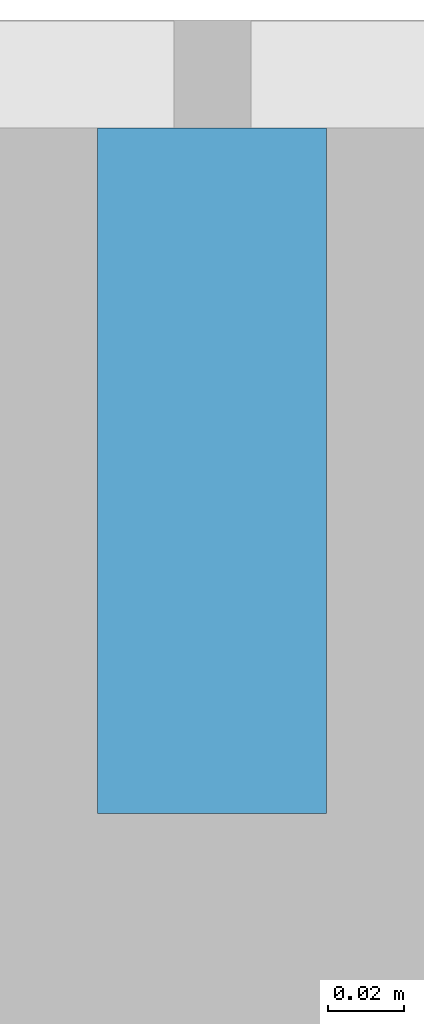
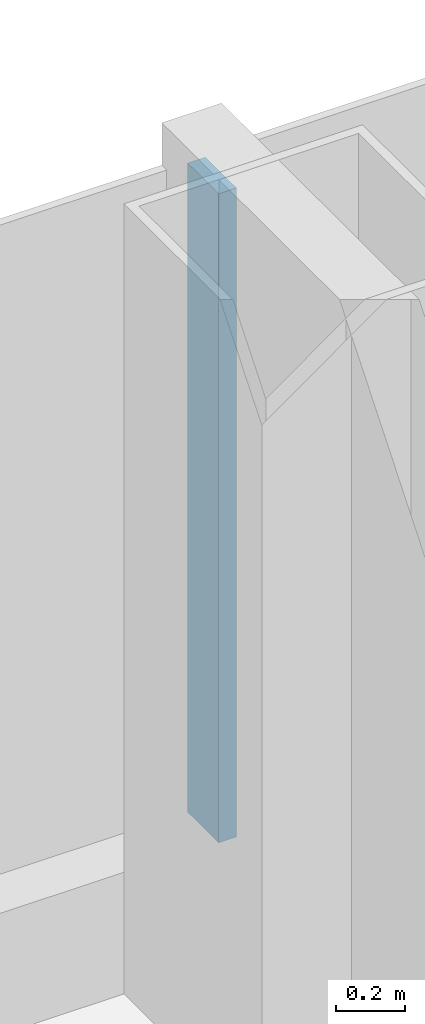
# One storey, part 10 of 29: 1 member, 1 element without a shape of its own.
"""IFC4 building model written with IfcOpenShell, lengths in metres."""

from ifc_helpers import new_model, si_unit, direction, frame, origin, origin_2d, place, context, subcontext, project, spatial, rectangle, extrude, material, layer, layer_set, material_profile, profile_set, type_object, element, aggregate, save


model = new_model("IFC4")

# Units and contexts
model_context = context("Model", 3, precision=1e-05, world=origin(), true_north=direction((0.0, 1.0)))
body_context = subcontext(model_context, "Body", "Model", "MODEL_VIEW")
ifc_project = project(units=[si_unit("LENGTHUNIT", "METRE"), si_unit("AREAUNIT", "SQUARE_METRE"), si_unit("VOLUMEUNIT", "CUBIC_METRE"), si_unit("PLANEANGLEUNIT", "RADIAN"), si_unit("MASSUNIT", "GRAM", prefix="KILO")], contexts=[model_context])

# Site, building, storey
site_placement = place(None, origin())
site = spatial("IfcSite", under=ifc_project, at=site_placement, CompositionType="ELEMENT")
building_placement = place(site_placement, origin())
building = spatial("IfcBuilding", under=site, at=building_placement, Name="Hakoniwa Tower and Hamabe Station Hall", CompositionType="ELEMENT")
storey_placement = place(building_placement, frame((0.0, 0.0, 104.199951171875)))
storey = spatial("IfcBuildingStorey", under=building, at=storey_placement, Name="L29", CompositionType="ELEMENT", Elevation=104.199951171875)

# Curtain wall, member
ifc_material_1 = material(Name="Dark low-e laminated glass", Category="glass")
ifc_layer = layer(ifc_material_1, 0.199951171875)
ifc_layer_set = layer_set([ifc_layer], Name="CW-1 UNITISED GUEST")
curtain_wall_type = type_object("IfcCurtainWallType", Name="CW-1 UNITISED GUEST", PredefinedType="NOTDEFINED", material=ifc_layer_set)
curtain_wall_placement = place(storey_placement, origin())
curtain_wall = element("IfcCurtainWall", 1, at=curtain_wall_placement, inside=storey, type_object=curtain_wall_type, Name="CW-1 curtain wall", PredefinedType="NOTDEFINED")
ifc_material_2 = material(Name="Aluminium 6063-T5 black anodised", Category="aluminium")
ifc_material_profile = material_profile(ifc_material_2, rectangle(XDim=0.06005859375, YDim=0.179931640625, at=origin_2d()), Name="CW-1 MULLION 60X180")
ifc_profile_set = profile_set([ifc_material_profile], Name="Aluminium 6063-T5 black anodised")
member_type = type_object("IfcMemberType", Name="CW-1 MULLION 60X180", PredefinedType="MULLION", material=ifc_profile_set)
member_placement = place(storey_placement, frame((8.39990234375, 23.431884765625, 0.35009765625), z_axis=(0.0, 0.0, 1.0), x_axis=(-1.0, 0.0, 0.0)))
member = element("IfcMember", 2, at=member_placement, type_object=member_type, Name="CW-1 mullion", PredefinedType="MULLION", context=body_context, shape_type="SweptSolid", body=[
    extrude(rectangle(XDim=0.06005859375, YDim=0.179931640625, at=origin_2d()), origin(), (0.0, 0.0, 1.0), 2.300048828125),
])
aggregate(curtain_wall, [member])

save(model, "model.ifc")
